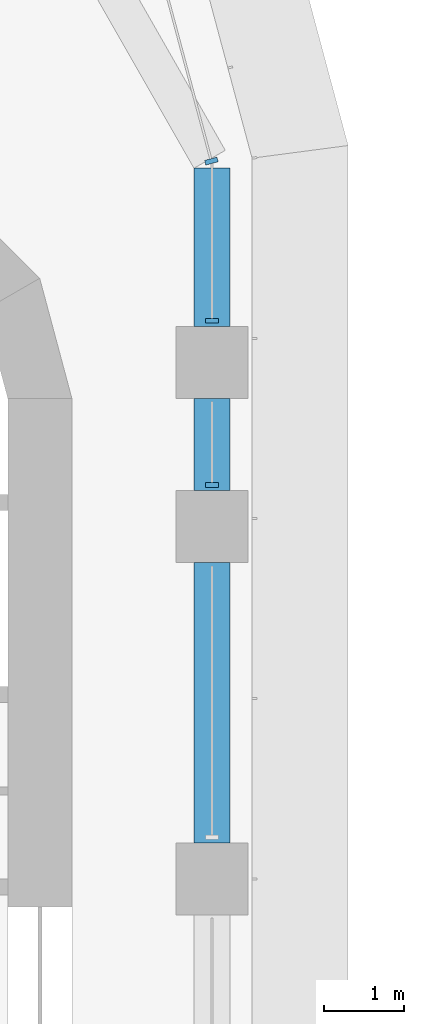
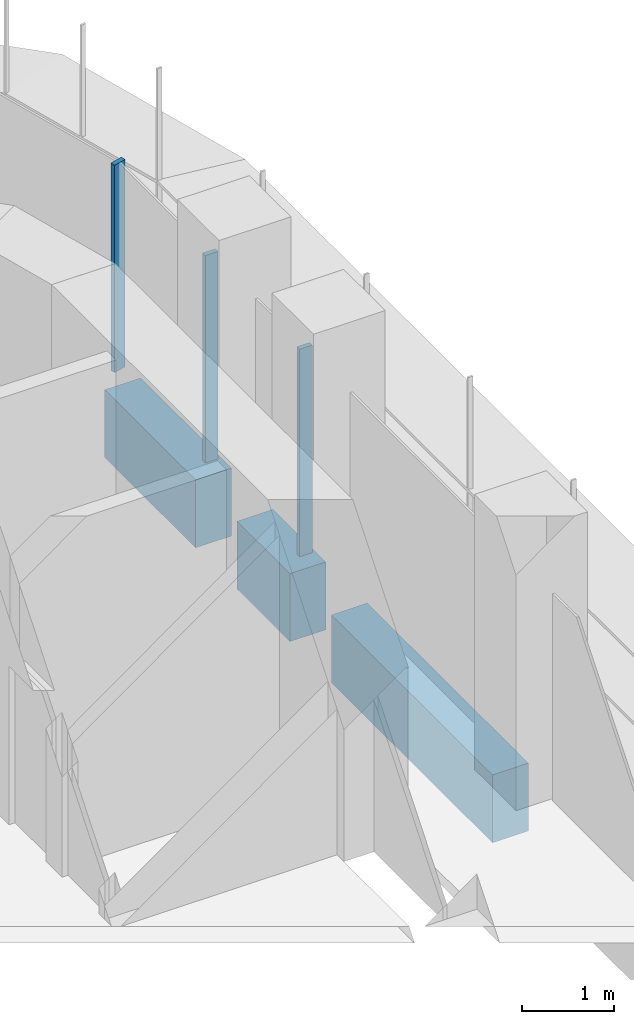
# One storey, part 10 of 23: 3 beams, 3 members, 2 elements without a shape of their own.
"""IFC4 building model written with IfcOpenShell, lengths in metres."""

from ifc_helpers import new_model, si_unit, direction, frame, origin, origin_2d, place, context, subcontext, project, spatial, polyline, rectangle, outline, extrude, source, transform, mapped, material, material_profile, profile_set, type_object, element, aggregate, save


model = new_model("IFC4")

# Units and contexts
model_context = context("Model", 3, precision=1e-05, world=origin(), true_north=direction((0.0, 1.0)))
body_context = subcontext(model_context, "Body", "Model", "MODEL_VIEW")
ifc_project = project(units=[si_unit("LENGTHUNIT", "METRE"), si_unit("AREAUNIT", "SQUARE_METRE"), si_unit("VOLUMEUNIT", "CUBIC_METRE"), si_unit("PLANEANGLEUNIT", "RADIAN"), si_unit("MASSUNIT", "GRAM", prefix="KILO")], contexts=[model_context])

# Site, building, storey
site_placement = place(None, origin())
site = spatial("IfcSite", under=ifc_project, at=site_placement, CompositionType="ELEMENT")
building_placement = place(site_placement, origin())
building = spatial("IfcBuilding", under=site, at=building_placement, Name="Zarbagh Exchange Tower", CompositionType="ELEMENT")
storey_placement = place(building_placement, frame((0.0, 0.0, 86.60009765625)))
storey = spatial("IfcBuildingStorey", under=building, at=storey_placement, Name="L19", CompositionType="ELEMENT", Elevation=86.60009765625)

# Beams
ifc_material_1 = material(Name="Concrete C60/75", Category="concrete")
ifc_material_profile = material_profile(ifc_material_1, rectangle(XDim=0.449951171875, YDim=0.89990234375, at=origin_2d()), Name="RC spandrel beam 450 x 900 C60/75")
ifc_profile_set = profile_set([ifc_material_profile], Name="Concrete C60/75")
beam_type = type_object("IfcBeamType", Name="RC spandrel beam 450 x 900 C60/75", PredefinedType="SPANDREL", material=ifc_profile_set)
beam_1_placement = place(storey_placement, frame((6.25, 29.12451171875, -0.60009765625), z_axis=(0.0, -1.0, 0.0), x_axis=(1.0, 0.0, 0.0)))
element("IfcBeam", 1, at=beam_1_placement, inside=storey, type_object=beam_type, Name="RC spandrel beam", PredefinedType="SPANDREL", context=body_context, shape_type="SweptSolid", body=[
    extrude(rectangle(XDim=0.449951171875, YDim=0.89990234375, at=origin_2d()), origin(), (0.0, 0.0, 1.0), 1.974609375),
])
beam_2_placement = place(storey_placement, frame((6.25, 26.25, -0.60009765625), z_axis=(0.0, -1.0, 0.0), x_axis=(1.0, 0.0, 0.0)))
element("IfcBeam", 2, at=beam_2_placement, inside=storey, type_object=beam_type, Name="RC spandrel beam", PredefinedType="SPANDREL", context=body_context, shape_type="SweptSolid", body=[
    extrude(rectangle(XDim=0.449951171875, YDim=0.89990234375, at=origin_2d()), origin(), (0.0, 0.0, 1.0), 1.14990234375),
])
beam_3_placement = place(storey_placement, frame((6.25, 24.199951171875, -0.60009765625), z_axis=(0.0, -1.0, 0.0), x_axis=(1.0, 0.0, 0.0)))
element("IfcBeam", 3, at=beam_3_placement, inside=storey, type_object=beam_type, Name="RC spandrel beam", PredefinedType="SPANDREL", context=body_context, shape_type="SweptSolid", body=[
    extrude(rectangle(XDim=0.449951171875, YDim=0.89990234375, at=origin_2d()), origin(), (0.0, 0.0, 1.0), 3.5),
])

# Curtain wall, members
ifc_material_2 = material(Name="Anodised aluminium frame and glazing", Category="aluminium")
curtain_wall_type = type_object("IfcCurtainWallType", Name="CWA Ribbon glazing, lower zones", PredefinedType="NOTDEFINED", material=ifc_material_2)
curtain_wall_1_placement = place(storey_placement, origin())
curtain_wall_1 = element("IfcCurtainWall", 4, at=curtain_wall_1_placement, inside=storey, type_object=curtain_wall_type, Name="CWA20 curtain wall", PredefinedType="NOTDEFINED")
ifc_material_3 = material(Name="Anodised aluminium frame", Category="aluminium")
member_type = type_object("IfcMemberType", Name="MUA Mullion, anodised aluminium frame", PredefinedType="MULLION", material=ifc_material_3)
shared_shape = source(origin(), body_context, "Body", "SweptSolid", [
    extrude(outline(polyline([(0.0, -0.080078125), (0.06005859375, -0.080078125), (0.06005859375, 0.080078125), (0.0, 0.080078125), (0.0, -0.080078125)])), origin(), (0.0, 0.0, 1.0), 2.75),
])
placement = place(storey_placement, origin())
member_1 = element("IfcMember", 5, at=placement, type_object=member_type, Name="CWA20 mullion 4.1", PredefinedType="MULLION", context=body_context, shape_type="MappedRepresentation", body=[
    mapped(shared_shape, transform((6.25, 25.14013671875, 0.0), x_axis=(0.0, 1.0, 0.0), y_axis=(-1.0, 0.0, 0.0), z_axis=(0.0, 0.0, 1.0))),
])
member_2 = element("IfcMember", 6, at=placement, type_object=member_type, Name="CWA20 mullion 5.1", PredefinedType="MULLION", context=body_context, shape_type="MappedRepresentation", body=[
    mapped(shared_shape, transform((6.25, 27.18994140625, 0.0), x_axis=(0.0, 1.0, 0.0), y_axis=(-1.0, 0.0, 0.0), z_axis=(0.0, 0.0, 1.0))),
])
aggregate(curtain_wall_1, [member_1, member_2])

# Curtain wall, member
curtain_wall_2_placement = place(storey_placement, origin())
curtain_wall_2 = element("IfcCurtainWall", 7, at=curtain_wall_2_placement, inside=storey, type_object=curtain_wall_type, Name="CWA21 curtain wall", PredefinedType="NOTDEFINED")
member_3 = element("IfcMember", 8, at=placement, type_object=member_type, Name="CWA21 mullion 1.1", PredefinedType="MULLION", context=body_context, shape_type="MappedRepresentation", body=[
    mapped(shared_shape, transform((6.25, 29.18408203125, 0.0), x_axis=(-0.258824779902, 0.965924289636, 0.0), y_axis=(-0.965924289636, -0.258824779902, 0.0), z_axis=(0.0, 0.0, 1.0))),
])
aggregate(curtain_wall_2, [member_3])

save(model, "model.ifc")
